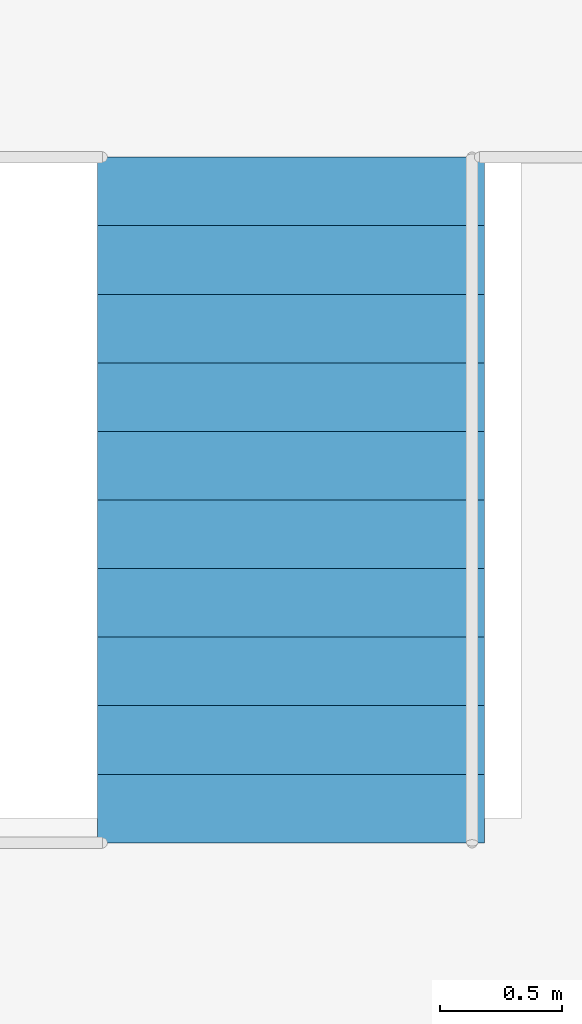
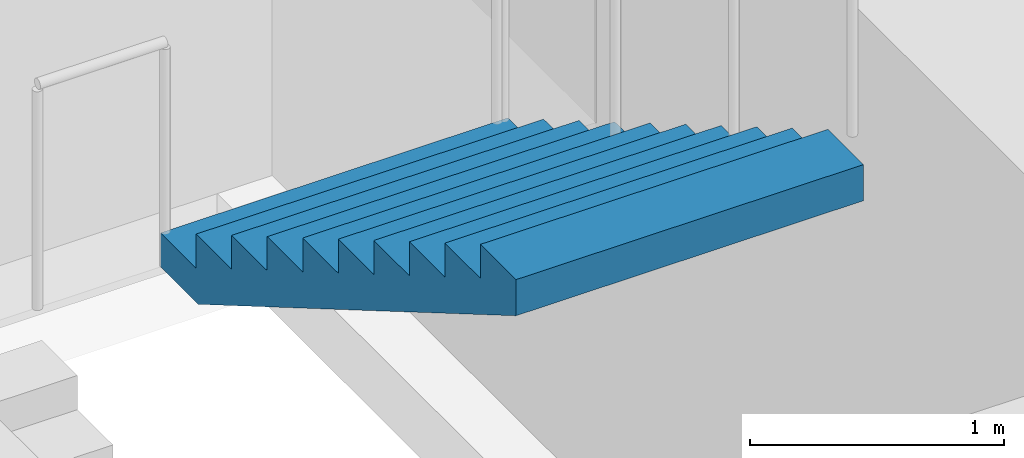
# One storey, part 10 of 11: 1 stair flight, 1 element without a shape of its own.
"""IFC4 building model written with IfcOpenShell, lengths in metres."""

from ifc_helpers import new_model, si_unit, direction, frame, origin, place, context, subcontext, project, spatial, polyline, outline, extrude, material, type_object, element, aggregate, save


model = new_model("IFC4")

# Units and contexts
model_context = context("Model", 3, precision=1e-05, world=origin(), true_north=direction((0.0, 1.0)))
body_context = subcontext(model_context, "Body", "Model", "MODEL_VIEW")
ifc_project = project(units=[si_unit("LENGTHUNIT", "METRE"), si_unit("AREAUNIT", "SQUARE_METRE"), si_unit("VOLUMEUNIT", "CUBIC_METRE"), si_unit("PLANEANGLEUNIT", "RADIAN"), si_unit("MASSUNIT", "GRAM", prefix="KILO")], contexts=[model_context])

# Site, building, storey
site_placement = place(None, origin())
site = spatial("IfcSite", under=ifc_project, at=site_placement, CompositionType="ELEMENT")
building_placement = place(site_placement, origin())
building = spatial("IfcBuilding", under=site, at=building_placement, Name="Pilkhan Gate Tower", CompositionType="ELEMENT")
storey_placement = place(building_placement, frame((0.0, 0.0, 151.300048828125)))
storey = spatial("IfcBuildingStorey", under=building, at=storey_placement, Name="L38", CompositionType="ELEMENT", Elevation=151.300048828125)

# Stair, stair flight
ifc_material = material(Name="Concrete C40/50 precast", Category="concrete")
stair_type = type_object("IfcStairType", Name="Stair ST4 164x280", PredefinedType="HALF_TURN_STAIR", material=ifc_material)
stair_placement = place(storey_placement, origin())
stair = element("IfcStair", 1, at=stair_placement, inside=storey, type_object=stair_type, Name="Stair ST4 L38", PredefinedType="HALF_TURN_STAIR")
stair_flight_type = type_object("IfcStairFlightType", Name="Stair flight ST4 164x280x11", PredefinedType="STRAIGHT", material=ifc_material)
stair_flight_placement = place(storey_placement, frame((87.81005859375, 90.199951171875, 1.800048828125), z_axis=(0.0, 0.0, 1.0), x_axis=(0.0, -1.0, 0.0)))
stair_flight = element("IfcStairFlight", 2, at=stair_flight_placement, type_object=stair_flight_type, Name="ST4 flight 2", NumberOfRisers=11, NumberOfTreads=10, PredefinedType="STRAIGHT", RiserHeight=0.163636364, TreadLength=0.28, context=body_context, shape_type="SweptSolid", body=[
    extrude(outline(polyline([(0.0, 0.0), (0.0, 0.16357421875), (0.280029296875, 0.16357421875), (0.280029296875, 0.327392578125), (0.56005859375, 0.327392578125), (0.56005859375, 0.490966796875), (0.840087890625, 0.490966796875), (0.840087890625, 0.654541015625), (1.1201171875, 0.654541015625), (1.1201171875, 0.818115234375), (1.39990234375, 0.818115234375), (1.39990234375, 0.98193359375), (1.679931640625, 0.98193359375), (1.679931640625, 1.1455078125), (1.9599609375, 1.1455078125), (1.9599609375, 1.30908203125), (2.239990234375, 1.30908203125), (2.239990234375, 1.47265625), (2.52001953125, 1.47265625), (2.52001953125, 1.636474609375), (2.800048828125, 1.636474609375), (2.800048828125, 1.800048828125), (2.800048828125, 1.462646484375), (0.297119140625, 0.0), (0.0, 0.0)])), frame((0.0, 0.7900390625, 0.0), z_axis=(0.0, -1.0, 0.0), x_axis=(1.0, 0.0, 0.0)), (0.0, 0.0, 1.0), 1.580078125),
])
aggregate(stair, [stair_flight])

save(model, "model.ifc")
